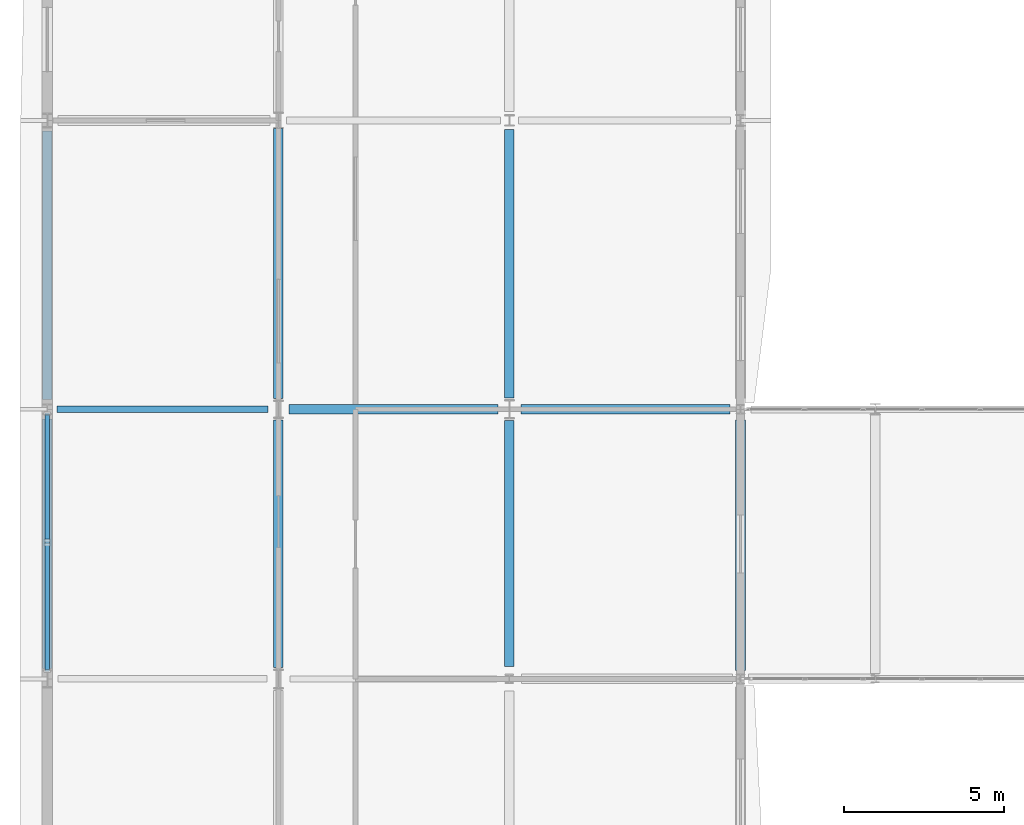
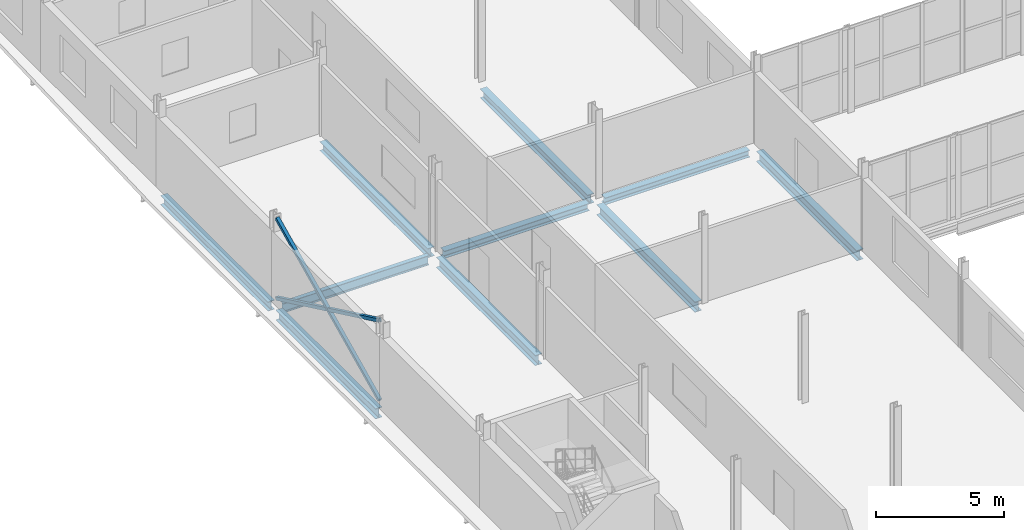
# One storey, part 54 of 138: 10 beams, 3 members.
"""IFC4 building model written with IfcOpenShell, lengths in metres."""

from ifc_helpers import new_model, si_unit, direction, frame, origin, origin_2d, place, context, subcontext, project, spatial, hollow_rectangle, i_section, extrude, material, material_profile, profile_set, type_object, element, save


model = new_model("IFC4")

# Units and contexts
model_context = context("Model", 3, precision=1e-05, world=origin(), true_north=direction((0.0, 1.0)))
body_context = subcontext(model_context, "Body", "Model", "MODEL_VIEW")
ifc_project = project(units=[si_unit("LENGTHUNIT", "METRE"), si_unit("AREAUNIT", "SQUARE_METRE"), si_unit("VOLUMEUNIT", "CUBIC_METRE"), si_unit("PLANEANGLEUNIT", "RADIAN"), si_unit("MASSUNIT", "GRAM", prefix="KILO")], contexts=[model_context])

# Site, building, storey
site_placement = place(None, origin())
site = spatial("IfcSite", under=ifc_project, at=site_placement, CompositionType="ELEMENT")
building_placement = place(site_placement, origin())
building = spatial("IfcBuilding", under=site, at=building_placement, Name="Vinh Khe Railworks Police Headquarters", CompositionType="ELEMENT")
storey_placement = place(building_placement, frame((0.0, 0.0, 9.0)))
storey = spatial("IfcBuildingStorey", under=building, at=storey_placement, Name="L02", CompositionType="ELEMENT", Elevation=9.0)

# Members
ifc_material = material(Name="Steel S355JR", Category="steel")
ifc_material_profile_1 = material_profile(ifc_material, hollow_rectangle(XDim=0.14990234375, YDim=0.14990234375, WallThickness=0.008056640625, at=origin_2d()), Name="SHS 150x150x8")
ifc_profile_set_1 = profile_set([ifc_material_profile_1], Name="Steel S355JR")
member_type = type_object("IfcMemberType", Name="Concentric Brace SHS 150x150x8", PredefinedType="BRACE", material=ifc_profile_set_1)
member_1_placement = place(storey_placement, frame((0.60009765625, 96.2548828125, 0.199951171875), z_axis=(0.0, 0.903173798151, 0.42927507537), x_axis=(-1.0, 0.0, 0.0)))
element("IfcMember", 1, at=member_1_placement, inside=storey, type_object=member_type, Name="Continuous Concentric Brace MEM-BR-L02-BR-05-031", PredefinedType="BRACE", context=body_context, shape_type="SweptSolid", body=[
    extrude(hollow_rectangle(XDim=0.14990234375, YDim=0.14990234375, WallThickness=0.008056640625, at=origin_2d()), origin(), (0.0, 0.0, 1.0), 8.852294921875),
])
member_2_placement = place(storey_placement, frame((0.60009765625, 96.2548828125, 4.0), z_axis=(0.0, 0.903187178932, -0.429246921729), x_axis=(-1.0, 0.0, 0.0)))
element("IfcMember", 2, at=member_2_placement, inside=storey, type_object=member_type, Name="Split X-Brace Segment MEM-BR-L02-BR-05-032 (2A)", PredefinedType="BRACE", context=body_context, shape_type="SweptSolid", body=[
    extrude(hollow_rectangle(XDim=0.14990234375, YDim=0.14990234375, WallThickness=0.008056640625, at=origin_2d()), origin(), (0.0, 0.0, 1.0), 4.34814453125),
])
member_3_placement = place(storey_placement, frame((0.60009765625, 100.322998046875, 2.06640625), z_axis=(0.0, 0.903176832821, -0.429268690514), x_axis=(-1.0, 0.0, 0.0)))
element("IfcMember", 3, at=member_3_placement, inside=storey, type_object=member_type, Name="Split X-Brace Segment MEM-BR-L02-BR-05-033 (2B)", PredefinedType="BRACE", context=body_context, shape_type="SweptSolid", body=[
    extrude(hollow_rectangle(XDim=0.14990234375, YDim=0.14990234375, WallThickness=0.008056640625, at=origin_2d()), origin(), (0.0, 0.0, 1.0), 4.347900390625),
])

# Beams
ifc_material_profile_2 = material_profile(ifc_material, i_section(OverallWidth=0.300048828125, OverallDepth=0.330078125, WebThickness=0.009521484375, FlangeThickness=0.0166015625, FilletRadius=0.027099609375, at=origin_2d()), Name="HEA 340")
ifc_profile_set_2 = profile_set([ifc_material_profile_2], Name="Steel S355JR")
beam_type_1 = type_object("IfcBeamType", Name="Steel Girder HEA 340", PredefinedType="BEAM", material=ifc_profile_set_2)
beam_1_placement = place(storey_placement, frame((15.35498046875, 104.39990234375, -0.385009765625), z_axis=(1.0, 0.0, 0.0), x_axis=(0.0, 1.0, 0.0)))
element("IfcBeam", 4, at=beam_1_placement, inside=storey, type_object=beam_type_1, Name="Girder BM-L02-EW-SB-16-0818", PredefinedType="BEAM", context=body_context, shape_type="SweptSolid", body=[
    extrude(i_section(OverallWidth=0.300048828125, OverallDepth=0.330078125, WebThickness=0.009521484375, FlangeThickness=0.0166015625, FilletRadius=0.027099609375, at=origin_2d()), origin(), (0.0, 0.0, 1.0), 6.51513671875),
])
ifc_material_profile_3 = material_profile(ifc_material, i_section(OverallWidth=0.300048828125, OverallDepth=0.35009765625, WebThickness=0.010009765625, FlangeThickness=0.017578125, FilletRadius=0.027099609375, at=origin_2d()), Name="HEA 360")
ifc_profile_set_3 = profile_set([ifc_material_profile_3], Name="Steel S355JR")
beam_type_2 = type_object("IfcBeamType", Name="Steel Girder HEA 360", PredefinedType="BEAM", material=ifc_profile_set_3)
beam_2_placement = place(storey_placement, frame((8.1298828125, 104.39990234375, -0.39501953125), z_axis=(1.0, 0.0, 0.0), x_axis=(0.0, 1.0, 0.0)))
element("IfcBeam", 5, at=beam_2_placement, inside=storey, type_object=beam_type_2, Name="Girder BM-L02-EW-SB-15-0817", PredefinedType="BEAM", context=body_context, shape_type="SweptSolid", body=[
    extrude(i_section(OverallWidth=0.300048828125, OverallDepth=0.35009765625, WebThickness=0.010009765625, FlangeThickness=0.017578125, FilletRadius=0.027099609375, at=origin_2d()), origin(), (0.0, 0.0, 1.0), 6.51513671875),
])
ifc_material_profile_4 = material_profile(ifc_material, i_section(OverallWidth=0.300048828125, OverallDepth=0.43994140625, WebThickness=0.011474609375, FlangeThickness=0.02099609375, FilletRadius=0.027099609375, at=origin_2d()), Name="HEA 450")
ifc_profile_set_4 = profile_set([ifc_material_profile_4], Name="Steel S355JR")
beam_type_3 = type_object("IfcBeamType", Name="Steel Girder HEA 450", PredefinedType="BEAM", material=ifc_profile_set_4)
beam_3_placement = place(storey_placement, frame((0.60009765625, 104.705078125, -0.43994140625), z_axis=(0.0, 1.0, 0.0), x_axis=(-1.0, 0.0, 0.0)))
element("IfcBeam", 6, at=beam_3_placement, inside=storey, type_object=beam_type_3, Name="Girder BM-L02-NS-SB-13-0886", PredefinedType="BEAM", context=body_context, shape_type="SweptSolid", body=[
    extrude(i_section(OverallWidth=0.300048828125, OverallDepth=0.43994140625, WebThickness=0.011474609375, FlangeThickness=0.02099609375, FilletRadius=0.027099609375, at=origin_2d()), origin(), (0.0, 0.0, 1.0), 8.364990234375),
])
beam_4_placement = place(storey_placement, frame((7.800048828125, 104.72998046875, -0.43994140625), z_axis=(0.0, 1.0, 0.0), x_axis=(-1.0, 0.0, 0.0)))
element("IfcBeam", 7, at=beam_4_placement, inside=storey, type_object=beam_type_3, Name="Girder BM-L02-NS-SB-13-0904", PredefinedType="BEAM", context=body_context, shape_type="SweptSolid", body=[
    extrude(i_section(OverallWidth=0.300048828125, OverallDepth=0.43994140625, WebThickness=0.011474609375, FlangeThickness=0.02099609375, FilletRadius=0.027099609375, at=origin_2d()), origin(), (0.0, 0.0, 1.0), 8.4150390625),
])
beam_5_placement = place(storey_placement, frame((15.0, 104.7548828125, -0.43994140625), z_axis=(0.0, 1.0, 0.0), x_axis=(-1.0, 0.0, 0.0)))
element("IfcBeam", 8, at=beam_5_placement, inside=storey, type_object=beam_type_3, Name="Girder BM-L02-NS-SB-13-0922", PredefinedType="BEAM", context=body_context, shape_type="SweptSolid", body=[
    extrude(i_section(OverallWidth=0.300048828125, OverallDepth=0.43994140625, WebThickness=0.011474609375, FlangeThickness=0.02099609375, FilletRadius=0.027099609375, at=origin_2d()), origin(), (0.0, 0.0, 1.0), 8.365234375),
])
ifc_material_profile_5 = material_profile(ifc_material, i_section(OverallWidth=0.300048828125, OverallDepth=0.489990234375, WebThickness=0.011962890625, FlangeThickness=0.02294921875, FilletRadius=0.027099609375, at=origin_2d()), Name="HEA 500")
ifc_profile_set_5 = profile_set([ifc_material_profile_5], Name="Steel S355JR")
beam_type_4 = type_object("IfcBeamType", Name="Steel Girder HEA 500", PredefinedType="BEAM", material=ifc_profile_set_5)
beam_6_placement = place(storey_placement, frame((0.60009765625, 96.330078125, -0.465087890625), z_axis=(0.0, 1.0, 0.0), x_axis=(-1.0, 0.0, 0.0)))
element("IfcBeam", 9, at=beam_6_placement, inside=storey, type_object=beam_type_4, Name="Girder BM-L02-NS-SB-12-0885", PredefinedType="BEAM", context=body_context, shape_type="SweptSolid", body=[
    extrude(i_section(OverallWidth=0.300048828125, OverallDepth=0.489990234375, WebThickness=0.011962890625, FlangeThickness=0.02294921875, FilletRadius=0.027099609375, at=origin_2d()), origin(), (0.0, 0.0, 1.0), 7.764892578125),
])
beam_7_placement = place(storey_placement, frame((7.800048828125, 96.35498046875, -0.465087890625), z_axis=(0.0, 1.0, 0.0), x_axis=(-1.0, 0.0, 0.0)))
element("IfcBeam", 10, at=beam_7_placement, inside=storey, type_object=beam_type_4, Name="Girder BM-L02-NS-SB-12-0903", PredefinedType="BEAM", context=body_context, shape_type="SweptSolid", body=[
    extrude(i_section(OverallWidth=0.300048828125, OverallDepth=0.489990234375, WebThickness=0.011962890625, FlangeThickness=0.02294921875, FilletRadius=0.027099609375, at=origin_2d()), origin(), (0.0, 0.0, 1.0), 7.715087890625),
])
beam_8_placement = place(storey_placement, frame((15.0, 96.3798828125, -0.465087890625), z_axis=(0.0, 1.0, 0.0), x_axis=(-1.0, 0.0, 0.0)))
element("IfcBeam", 11, at=beam_8_placement, inside=storey, type_object=beam_type_4, Name="Girder BM-L02-NS-SB-12-0921", PredefinedType="BEAM", context=body_context, shape_type="SweptSolid", body=[
    extrude(i_section(OverallWidth=0.300048828125, OverallDepth=0.489990234375, WebThickness=0.011962890625, FlangeThickness=0.02294921875, FilletRadius=0.027099609375, at=origin_2d()), origin(), (0.0, 0.0, 1.0), 7.6650390625),
])
beam_9_placement = place(storey_placement, frame((22.199951171875, 96.2548828125, -0.465087890625), z_axis=(0.0, 1.0, 0.0), x_axis=(-1.0, 0.0, 0.0)))
element("IfcBeam", 12, at=beam_9_placement, inside=storey, type_object=beam_type_4, Name="Girder BM-L02-NS-SB-12-0939", PredefinedType="BEAM", context=body_context, shape_type="SweptSolid", body=[
    extrude(i_section(OverallWidth=0.300048828125, OverallDepth=0.489990234375, WebThickness=0.011962890625, FlangeThickness=0.02294921875, FilletRadius=0.027099609375, at=origin_2d()), origin(), (0.0, 0.0, 1.0), 7.815185546875),
])
ifc_material_profile_6 = material_profile(ifc_material, i_section(OverallWidth=0.18994140625, OverallDepth=0.449951171875, WebThickness=0.009521484375, FlangeThickness=0.0146484375, FilletRadius=0.02099609375, at=origin_2d()), Name="IPE 450")
ifc_profile_set_6 = profile_set([ifc_material_profile_6], Name="Steel S355JR")
beam_type_5 = type_object("IfcBeamType", Name="Steel Girder IPE 450", PredefinedType="BEAM", material=ifc_profile_set_6)
beam_10_placement = place(storey_placement, frame((0.905029296875, 104.39990234375, -0.445068359375), z_axis=(1.0, 0.0, 0.0), x_axis=(0.0, 1.0, 0.0)))
element("IfcBeam", 13, at=beam_10_placement, inside=storey, type_object=beam_type_5, Name="Girder BM-L02-EW-SB-20-0816", PredefinedType="BEAM", context=body_context, shape_type="SweptSolid", body=[
    extrude(i_section(OverallWidth=0.18994140625, OverallDepth=0.449951171875, WebThickness=0.009521484375, FlangeThickness=0.0146484375, FilletRadius=0.02099609375, at=origin_2d()), origin(), (0.0, 0.0, 1.0), 6.56494140625),
])

save(model, "model.ifc")
